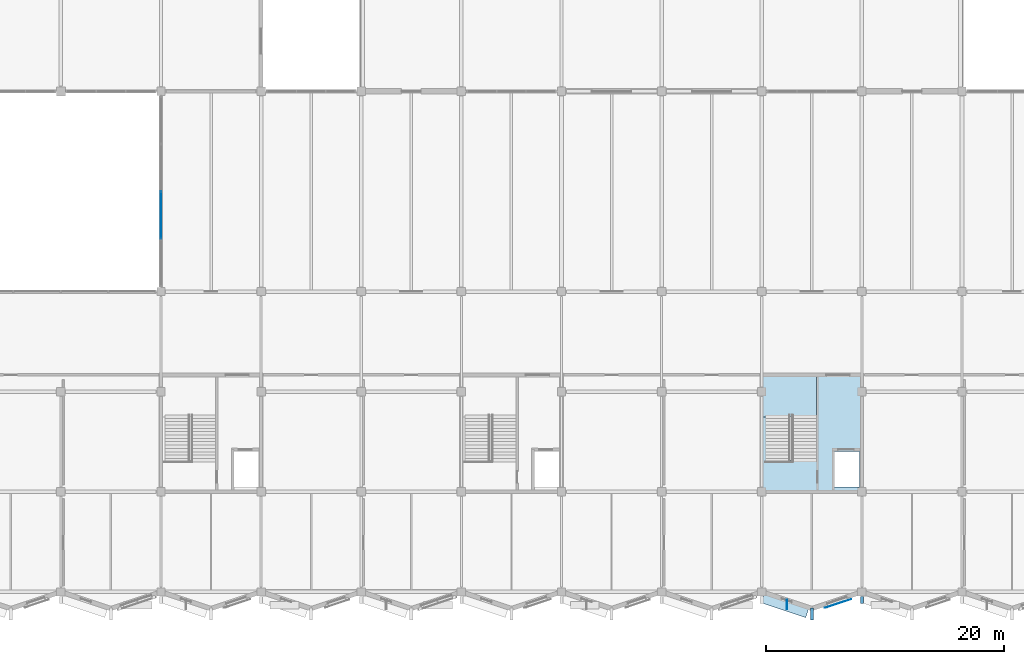
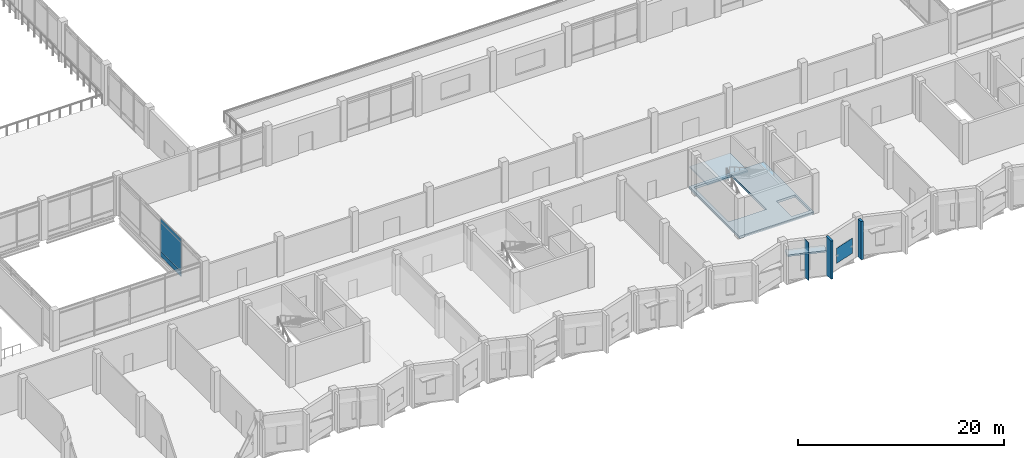
# One storey, part 72 of 110: 8 plates, 2 slabs, 2 elements without a shape of their own.
"""IFC4 building model written with IfcOpenShell, lengths in metres."""

from ifc_helpers import new_model, si_unit, direction, frame, frame_2d, origin, place, context, subcontext, project, spatial, polyline, rectangle, outline, extrude, material, layer, layer_set, type_object, element, aggregate, save


model = new_model("IFC4")

# Units and contexts
model_context = context("Model", 3, precision=1e-05, world=origin(), true_north=direction((0.0, 1.0)))
body_context = subcontext(model_context, "Body", "Model", "MODEL_VIEW")
ifc_project = project(units=[si_unit("LENGTHUNIT", "METRE"), si_unit("AREAUNIT", "SQUARE_METRE"), si_unit("VOLUMEUNIT", "CUBIC_METRE"), si_unit("PLANEANGLEUNIT", "RADIAN"), si_unit("MASSUNIT", "GRAM", prefix="KILO")], contexts=[model_context])

# Site, building, storey
site_placement = place(None, origin())
site = spatial("IfcSite", under=ifc_project, at=site_placement, CompositionType="ELEMENT")
building_placement = place(site_placement, origin())
building = spatial("IfcBuilding", under=site, at=building_placement, Name="Qawsi Khor Wholesale Market", CompositionType="ELEMENT")
storey_placement = place(building_placement, frame((0.0, 0.0, 11.39990234375)))
storey = spatial("IfcBuildingStorey", under=building, at=storey_placement, Name="L02", CompositionType="ELEMENT", Elevation=11.39990234375)

# Curtain wall, plate
ifc_material_1 = material(Name="Aluminium Anodised Bronze", Category="aluminium")
ifc_layer_1 = layer(ifc_material_1, 0.179931640625, Name="Aluminium Anodised Bronze")
ifc_layer_set_1 = layer_set([ifc_layer_1], Name="Aluminium Anodised Bronze")
curtain_wall_type = type_object("IfcCurtainWallType", Name="Atrium Full-Height Curtain Wall CW-02", PredefinedType="NOTDEFINED", material=ifc_layer_set_1)
curtain_wall_placement = place(storey_placement, origin())
curtain_wall = element("IfcCurtainWall", 1, at=curtain_wall_placement, inside=storey, type_object=curtain_wall_type, Name="Curtain wall CW-CW-02-L02-025", PredefinedType="NOTDEFINED")
ifc_material_2 = material(Name="Anodised Aluminium Spandrel", Category="aluminium")
ifc_layer_2 = layer(ifc_material_2, 0.06494140625, Name="Anodised Aluminium Spandrel")
ifc_layer_set_2 = layer_set([ifc_layer_2], Name="Anodised Aluminium Spandrel")
plate_type_1 = type_object("IfcPlateType", Name="Insulated Spandrel Panel CW-02 65mm", PredefinedType="CURTAIN_PANEL", material=ifc_layer_set_2)
plate_1_placement = place(storey_placement, frame((67.199951171875, 29.62255859375, 0.005126953125), z_axis=(0.0, 0.0, 1.0), x_axis=(0.0, 1.0, 0.0)))
plate_1 = element("IfcPlate", 2, at=plate_1_placement, type_object=plate_type_1, Name="Curtain panel CW-CW-02-L02-025-P0_01", PredefinedType="CURTAIN_PANEL", context=body_context, shape_type="SweptSolid", body=[
    extrude(rectangle(XDim=3.9775390625, YDim=0.06494140625, at=frame_2d((1.98876953125, 0.0))), origin(), (0.0, 0.0, 1.0), 0.590087890625),
])

# Plates
ifc_material_3 = material(Name="Perforated Bronze-Anodised Aluminium", Category="aluminium")
ifc_layer_3 = layer(ifc_material_3, 0.02001953125, Name="Perforated Bronze-Anodised Aluminium")
ifc_layer_set_3 = layer_set([ifc_layer_3], Name="Perforated Bronze-Anodised Aluminium")
plate_type_2 = type_object("IfcPlateType", Name="Perforated Bronze Mashrabiya Screen 20mm", PredefinedType="SHEET", material=ifc_layer_set_3)
plate_2_placement = place(storey_placement, frame((125.091064453125, -0.603515625, 0.85009765625), z_axis=(0.0, 0.0, 1.0), x_axis=(-0.948714864533, -0.31613305081, 0.0)))
element("IfcPlate", 3, at=plate_2_placement, inside=storey, type_object=plate_type_2, Name="Solar mashrabiya screen 032", PredefinedType="SHEET", context=body_context, shape_type="SweptSolid", body=[
    extrude(rectangle(XDim=2.31982421875, YDim=0.02001953125, at=frame_2d((1.159912109375, 0.0))), origin(), (0.0, 0.0, 1.0), 1.800048828125),
])
ifc_material_4 = material(Name="Concrete C40/50", Category="concrete")
ifc_layer_4 = layer(ifc_material_4, 0.260009765625, Name="Concrete C40/50")
ifc_layer_set_4 = layer_set([ifc_layer_4], Name="Concrete C40/50")
plate_type_3 = type_object("IfcPlateType", Name="Sculpted Concrete Solar Buttress Fin 260", PredefinedType="SHEET", material=ifc_layer_set_4)
plate_3_placement = place(storey_placement, frame((121.800048828125, -2.35009765625, 0.0), z_axis=(0.0, 0.0, 1.0), x_axis=(0.0, 1.0, 0.0)))
element("IfcPlate", 4, at=plate_3_placement, inside=storey, type_object=plate_type_3, Name="Boulevard concrete solar buttress fin L02-23", PredefinedType="SHEET", context=body_context, shape_type="SweptSolid", body=[
    extrude(rectangle(XDim=1.0, YDim=0.260009765625, at=frame_2d((0.5, 0.0))), origin(), (0.0, 0.0, 1.0), 4.52001953125),
])
plate_4_placement = place(storey_placement, frame((126.0, -0.949951171875, 0.0), z_axis=(0.0, 0.0, 1.0), x_axis=(0.0, 1.0, 0.0)))
element("IfcPlate", 5, at=plate_4_placement, inside=storey, type_object=plate_type_3, Name="Boulevard concrete solar buttress fin L02-24", PredefinedType="SHEET", context=body_context, shape_type="SweptSolid", body=[
    extrude(rectangle(XDim=0.570068359375, YDim=0.260009765625, at=frame_2d((0.28515625, 0.0))), origin(), (0.0, 0.0, 1.0), 4.52001953125),
])
ifc_layer_5 = layer(ifc_material_4, 0.949951171875, Name="Concrete C40/50")
ifc_layer_set_5 = layer_set([ifc_layer_5], Name="Concrete C40/50")
plate_type_4 = type_object("IfcPlateType", Name="Sculpted Concrete Sun-Hood Canopy 950", PredefinedType="SHEET", material=ifc_layer_set_5)
plate_5_placement = place(storey_placement, frame((117.710693359375, -0.45849609375, 3.25), z_axis=(0.0, 0.0, 1.0), x_axis=(0.94867708111, -0.316246416226, 0.0)))
element("IfcPlate", 6, at=plate_5_placement, inside=storey, type_object=plate_type_4, Name="Sculpted concrete sun-hood L02-23", PredefinedType="SHEET", context=body_context, shape_type="SweptSolid", body=[
    extrude(rectangle(XDim=3.92724609375, YDim=0.949951171875, at=frame_2d((1.963623046875, 0.0))), origin(), (0.0, 0.0, 1.0), 0.190185546875),
])

# Plate
ifc_material_5 = material(Name="Tempered Low-E Solar Glass", Category="glass")
ifc_layer_6 = layer(ifc_material_5, 0.031982421875, Name="Tempered Low-E Solar Glass")
ifc_layer_set_6 = layer_set([ifc_layer_6], Name="Tempered Low-E Solar Glass")
plate_type_5 = type_object("IfcPlateType", Name="Solar Double-Glazed Unit CW-02 32mm", PredefinedType="CURTAIN_PANEL", material=ifc_layer_set_6)
plate_6_placement = place(storey_placement, frame((67.199951171875, 29.62255859375, 0.60498046875), z_axis=(0.0, 0.0, 1.0), x_axis=(0.0, 1.0, 0.0)))
plate_6 = element("IfcPlate", 7, at=plate_6_placement, type_object=plate_type_5, Name="Curtain panel CW-CW-02-L02-025-P1_01", PredefinedType="CURTAIN_PANEL", context=body_context, shape_type="SweptSolid", body=[
    extrude(rectangle(XDim=3.9775390625, YDim=0.031982421875, at=frame_2d((1.98876953125, 0.0))), origin(), (0.0, 0.0, 1.0), 3.460205078125),
])

plate_7_placement = place(storey_placement, frame((67.199951171875, 29.62255859375, 4.0751953125), z_axis=(0.0, 0.0, 1.0), x_axis=(0.0, 1.0, 0.0)))
plate_7 = element("IfcPlate", 8, at=plate_7_placement, type_object=plate_type_5, Name="Curtain panel CW-CW-02-L02-025-P2_01", PredefinedType="CURTAIN_PANEL", context=body_context, shape_type="SweptSolid", body=[
    extrude(rectangle(XDim=3.9775390625, YDim=0.031982421875, at=frame_2d((1.98876953125, 0.0))), origin(), (0.0, 0.0, 1.0), 0.43994140625),
])

aggregate(curtain_wall, [plate_1, plate_6, plate_7])

# Stair, slab
stair_type = type_object("IfcStairType", Name="Exit Stair L02-L03 4800 Rise", PredefinedType="HALF_TURN_STAIR", material=ifc_material_4)
stair_placement = place(storey_placement, origin())
stair = element("IfcStair", 9, at=stair_placement, inside=storey, type_object=stair_type, Name="Stair ST-04 L02", PredefinedType="HALF_TURN_STAIR")
ifc_layer_7 = layer(ifc_material_4, 0.179931640625, Name="Concrete C40/50")
ifc_layer_set_7 = layer_set([ifc_layer_7], Name="Concrete C40/50")
slab_type_1 = type_object("IfcSlabType", Name="Stair Half-Landing Slab 180 C40/50", PredefinedType="LANDING", material=ifc_layer_set_7)
slab_1_placement = place(storey_placement, frame((0.0, 0.0, 2.22021484375)))
slab_1 = element("IfcSlab", 10, at=slab_1_placement, type_object=slab_type_1, Name="ST-04-L02 landing 1", PredefinedType="LANDING", context=body_context, shape_type="SweptSolid", body=[
    extrude(outline(polyline([(117.64990234375, 14.679931640625), (122.179931640625, 14.679931640625), (122.179931640625, 18.14990234375), (117.64990234375, 18.14990234375), (117.64990234375, 14.679931640625)])), origin(), (0.0, 0.0, 1.0), 0.179931640625),
])
aggregate(stair, [slab_1])

# Slab
ifc_layer_8 = layer(ifc_material_4, 0.280029296875, Name="Concrete C40/50")
ifc_layer_set_8 = layer_set([ifc_layer_8], Name="Concrete C40/50")
slab_type_2 = type_object("IfcSlabType", Name="Suspended Floor Slab 280 C40/50", PredefinedType="FLOOR", material=ifc_layer_set_8)
slab_2_placement = place(storey_placement, frame((0.0, 0.0, -0.27978515625)))
element("IfcSlab", 11, at=slab_2_placement, inside=storey, type_object=slab_type_2, Name="Core floor slab L02 C04", PredefinedType="FLOOR", context=body_context, shape_type="SweptSolid", body=[
    extrude(outline(polyline([(117.60009765625, 18.199951171875), (126.0, 18.199951171875), (126.0, 8.39990234375), (117.60009765625, 8.39990234375), (117.60009765625, 18.199951171875)]), holes=[polyline([(123.719970703125, 8.800048828125), (125.800048828125, 8.800048828125), (125.800048828125, 11.800048828125), (123.719970703125, 11.800048828125), (123.719970703125, 8.800048828125)]), polyline([(117.93994140625, 11.080078125), (122.179931640625, 11.080078125), (122.179931640625, 17.860107421875), (117.93994140625, 17.860107421875), (117.93994140625, 11.080078125)])]), origin(), (0.0, 0.0, 1.0), 0.27978515625),
])

# Plate
ifc_layer_9 = layer(ifc_material_3, 0.044921875, Name="Perforated Bronze-Anodised Aluminium")
ifc_layer_set_9 = layer_set([ifc_layer_9], Name="Perforated Bronze-Anodised Aluminium")
plate_type_6 = type_object("IfcPlateType", Name="Vertical Sculpted Sun-Fin Plate 45mm", PredefinedType="SHEET", material=ifc_layer_set_9)
plate_8_placement = place(storey_placement, frame((119.699951171875, -1.449951171875, 0.0), z_axis=(0.0, 0.0, 1.0), x_axis=(0.0, 1.0, 0.0)))
element("IfcPlate", 12, at=plate_8_placement, inside=storey, type_object=plate_type_6, Name="Sculpted vertical sun-fin L02-22", PredefinedType="SHEET", context=body_context, shape_type="SweptSolid", body=[
    extrude(rectangle(XDim=0.800048828125, YDim=0.044921875, at=frame_2d((0.39990234375, 0.0))), origin(), (0.0, 0.0, 1.0), 4.52001953125),
])

save(model, "model.ifc")
